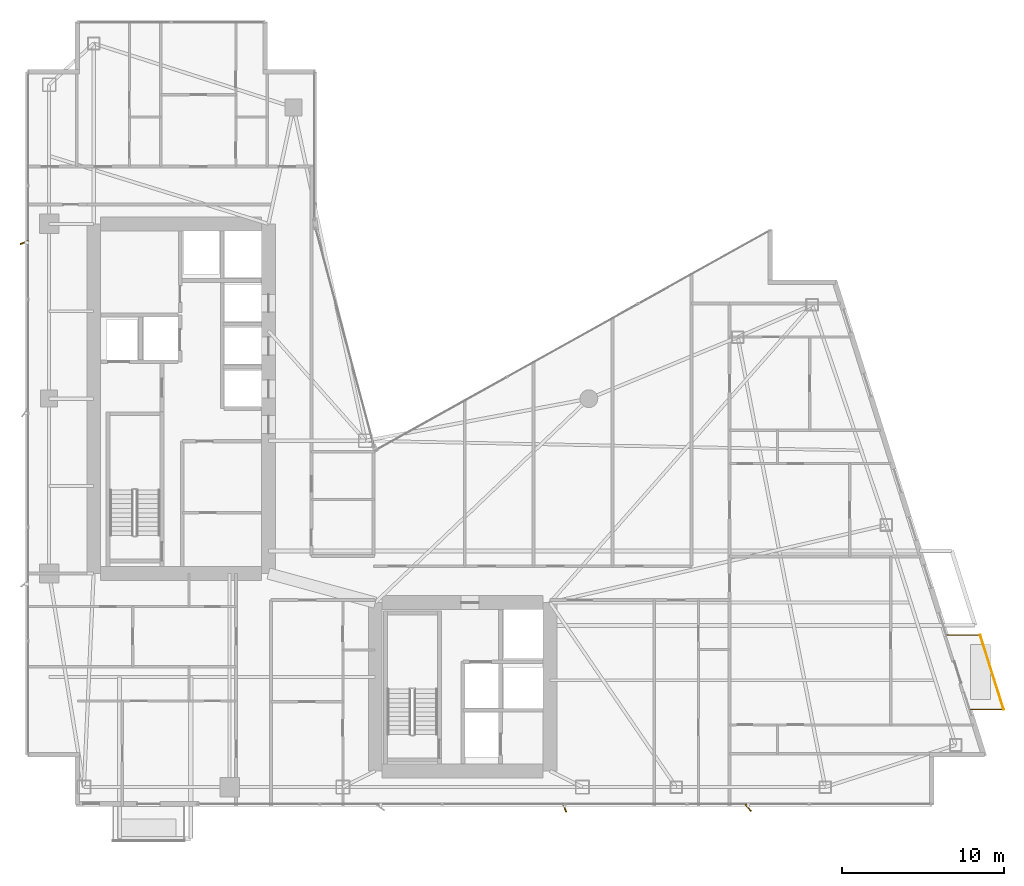
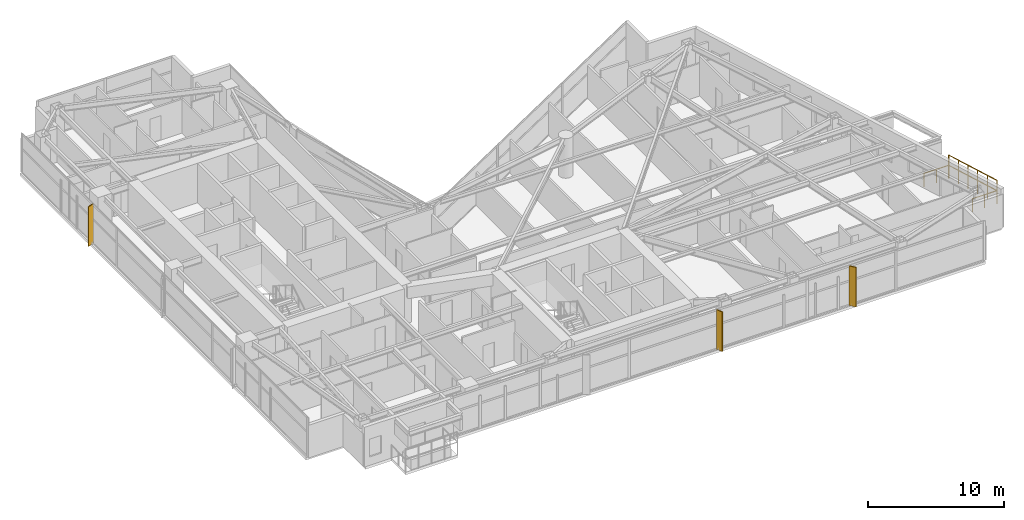
# One storey, part 29 of 29: 3 shading devices, 2 railings.
"""IFC4 building model written with IfcOpenShell, lengths in metres."""

from ifc_helpers import new_model, si_unit, direction, frame, origin, origin_2d, place, context, subcontext, project, spatial, rectangle, circle, extrude, material, type_object, element, save


model = new_model("IFC4")

# Units and contexts
model_context = context("Model", 3, precision=1e-05, world=origin(), true_north=direction((0.0, 1.0)))
body_context = subcontext(model_context, "Body", "Model", "MODEL_VIEW")
ifc_project = project(units=[si_unit("LENGTHUNIT", "METRE"), si_unit("AREAUNIT", "SQUARE_METRE"), si_unit("VOLUMEUNIT", "CUBIC_METRE"), si_unit("PLANEANGLEUNIT", "RADIAN"), si_unit("MASSUNIT", "GRAM", prefix="KILO")], contexts=[model_context])

# Site, building, storey
site_placement = place(None, origin())
site = spatial("IfcSite", under=ifc_project, at=site_placement, CompositionType="ELEMENT")
building_placement = place(site_placement, origin())
building = spatial("IfcBuilding", under=site, at=building_placement, Name="Calvorn Quay Hotel", CompositionType="ELEMENT")
storey_placement = place(building_placement, frame((0.0, 0.0, 148.5)))
storey = spatial("IfcBuildingStorey", under=building, at=storey_placement, Name="L36", CompositionType="ELEMENT", Elevation=148.5)

# Railings
ifc_material_1 = material(Name="Pale Anodised Aluminium and Laminated Glass", Category="aluminium")
railing_type = type_object("IfcRailingType", Name="RLG-BALUSTRADE-1200", PredefinedType="BALUSTRADE", material=ifc_material_1)
railing_1_placement = place(storey_placement, frame((58.327880859375, 8.39990234375, 0.0)))
element("IfcRailing", 1, at=railing_1_placement, inside=storey, type_object=railing_type, Name="Tree Balcony Perimeter Balustrade L36-BALC-E", PredefinedType="BALUSTRADE", context=body_context, shape_type="SweptSolid", body=[
    extrude(circle(Radius=0.02392578125, at=origin_2d()), frame((0.0, 0.0, 1.17578125), z_axis=(1.0, 0.0, 0.0), x_axis=(0.0, 1.0, 0.0)), (0.0, 0.0, 1.0), 2.10009765625),
    extrude(circle(Radius=0.02392578125, at=origin_2d()), frame((2.10009765625, 0.0, 1.17578125), z_axis=(-0.300620172346, 0.953743944662, 0.0), x_axis=(-0.953743944662, -0.300620172346, 0.0)), (0.0, 0.0, 1.0), 4.8232421875),
    extrude(circle(Radius=0.02392578125, at=origin_2d()), frame((0.650146484375, 4.60009765625, 1.17578125), z_axis=(-1.0, 0.0, 0.0), x_axis=(0.0, -1.0, 0.0)), (0.0, 0.0, 1.0), 2.10009765625),
    extrude(circle(Radius=0.02099609375, at=origin_2d()), origin(), (0.0, 0.0, 1.0), 1.15185546875),
    extrude(circle(Radius=0.02099609375, at=origin_2d()), frame((1.050048828125, 0.0, 0.0)), (0.0, 0.0, 1.0), 1.15185546875),
    extrude(circle(Radius=0.02099609375, at=origin_2d()), frame((2.10009765625, 0.0, 0.0)), (0.0, 0.0, 1.0), 1.15185546875),
    extrude(circle(Radius=0.02099609375, at=origin_2d()), frame((1.81005859375, 0.919921875, 0.0)), (0.0, 0.0, 1.0), 1.15185546875),
    extrude(circle(Radius=0.02099609375, at=origin_2d()), frame((1.52001953125, 1.840087890625, 0.0)), (0.0, 0.0, 1.0), 1.15185546875),
    extrude(circle(Radius=0.02099609375, at=origin_2d()), frame((1.230224609375, 2.760009765625, 0.0)), (0.0, 0.0, 1.0), 1.15185546875),
    extrude(circle(Radius=0.02099609375, at=origin_2d()), frame((0.940185546875, 3.68017578125, 0.0)), (0.0, 0.0, 1.0), 1.15185546875),
    extrude(circle(Radius=0.02099609375, at=origin_2d()), frame((0.650146484375, 4.60009765625, 0.0)), (0.0, 0.0, 1.0), 1.15185546875),
    extrude(circle(Radius=0.02099609375, at=origin_2d()), frame((-0.39990234375, 4.60009765625, 0.0)), (0.0, 0.0, 1.0), 1.15185546875),
    extrude(circle(Radius=0.02099609375, at=origin_2d()), frame((-1.449951171875, 4.60009765625, 0.0)), (0.0, 0.0, 1.0), 1.15185546875),
])
railing_2_placement = place(storey_placement, frame((60.427978515625, 8.39990234375, 0.89990234375)))
element("IfcRailing", 2, at=railing_2_placement, inside=storey, type_object=railing_type, Name="Planter Kerb High Safety Screen L36-BALC-E", PredefinedType="BALUSTRADE", context=body_context, shape_type="SweptSolid", body=[
    extrude(circle(Radius=0.02392578125, at=origin_2d()), frame((0.0, 0.0, 1.19580078125), z_axis=(-0.300620172346, 0.953743944662, 0.0), x_axis=(-0.953743944662, -0.300620172346, 0.0)), (0.0, 0.0, 1.0), 4.8232421875),
    extrude(circle(Radius=0.02099609375, at=origin_2d()), origin(), (0.0, 0.0, 1.0), 1.171875),
    extrude(circle(Radius=0.02099609375, at=origin_2d()), frame((-0.2900390625, 0.919921875, 0.0)), (0.0, 0.0, 1.0), 1.171875),
    extrude(circle(Radius=0.02099609375, at=origin_2d()), frame((-0.580078125, 1.840087890625, 0.0)), (0.0, 0.0, 1.0), 1.171875),
    extrude(circle(Radius=0.02099609375, at=origin_2d()), frame((-0.869873046875, 2.760009765625, 0.0)), (0.0, 0.0, 1.0), 1.171875),
    extrude(circle(Radius=0.02099609375, at=origin_2d()), frame((-1.159912109375, 3.68017578125, 0.0)), (0.0, 0.0, 1.0), 1.171875),
    extrude(circle(Radius=0.02099609375, at=origin_2d()), frame((-1.449951171875, 4.60009765625, 0.0)), (0.0, 0.0, 1.0), 1.171875),
])

# Shading devices
ifc_material_2 = material(Name="Champagne Bronze Anodised Aluminium 6063-T6", Category="aluminium")
shading_device_type_1 = type_object("IfcShadingDeviceType", Name="SHD-FIN-A1", PredefinedType="USERDEFINED", material=ifc_material_2)
for number, where, z_axis, x_axis, name in (
    (3, (-0.080078125, 37.25, 0.0), (0.0, 0.0, 1.0), (0.927183854567, 0.374606593416, 0.0), "Diagonal Sun-Shading Fin L36-W03"),
    (4, (33.300048828125, 2.320068359375, 0.0), (0.0, 0.0, 1.0), (-0.374606593416, 0.927183854567, 0.0), "Diagonal Sun-Shading Fin L36-S02"),
):
    element("IfcShadingDevice", number, at=place(storey_placement, frame(where, z_axis=z_axis, x_axis=x_axis)), inside=storey, type_object=shading_device_type_1, Name=name, ObjectType="FIN", PredefinedType="USERDEFINED", context=body_context, shape_type="SweptSolid", body=[
        extrude(rectangle(XDim=0.550048828125, YDim=0.080078125, at=origin_2d()), origin(), (0.0, 0.0, 1.0), 3.56005859375),
    ])
ifc_material_3 = material(Name="Champagne Bronze Anodised Aluminium 6063-T6", Category="aluminium")
shading_device_type_2 = type_object("IfcShadingDeviceType", Name="SHD-FIN-A2", PredefinedType="USERDEFINED", material=ifc_material_3)
shading_device_placement = place(storey_placement, frame((44.64990234375, 2.320068359375, 0.0), z_axis=(0.0, 0.0, 1.0), x_axis=(-0.615661475326, 0.788010753607, 0.0)))
element("IfcShadingDevice", 5, at=shading_device_placement, inside=storey, type_object=shading_device_type_2, Name="Diagonal Sun-Shading Fin L36-S03", ObjectType="FIN", PredefinedType="USERDEFINED", context=body_context, shape_type="SweptSolid", body=[
    extrude(rectangle(XDim=0.550048828125, YDim=0.080078125, at=origin_2d()), origin(), (0.0, 0.0, 1.0), 3.56005859375),
])

save(model, "model.ifc")
